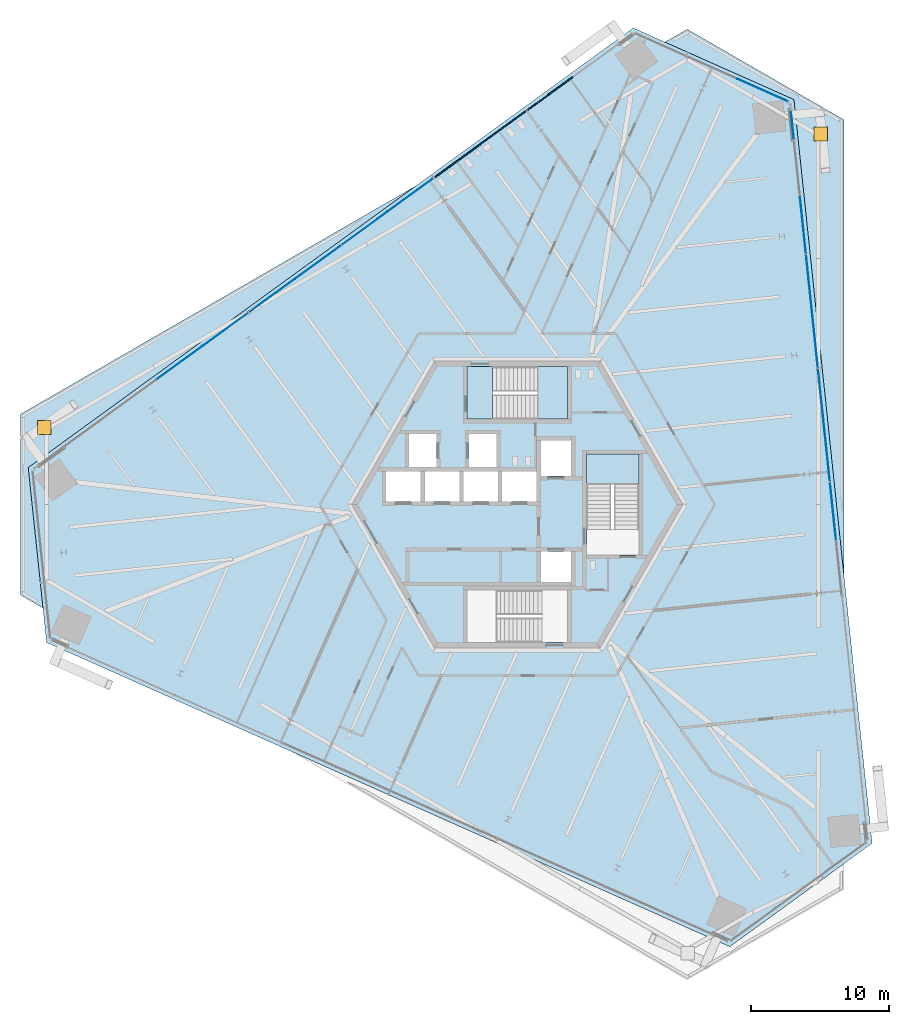
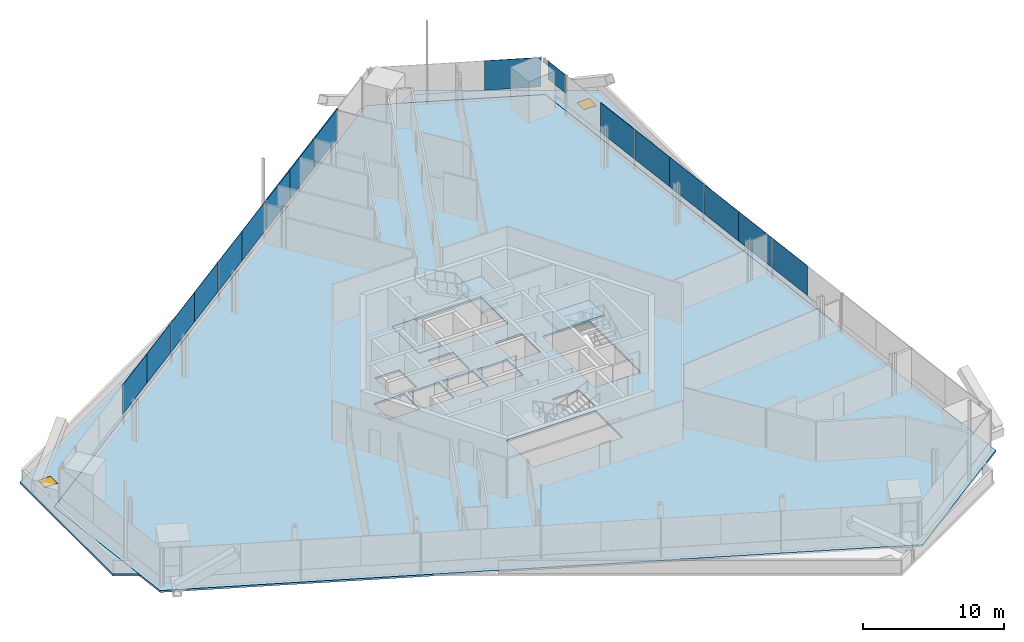
# One storey, part 13 of 24: 17 plates, 6 slabs, 2 doors, 2 openings, 7 elements without a shape of their own.
"""IFC4 building model written with IfcOpenShell, lengths in metres."""

import ifcopenshell
import ifcopenshell.guid

model = None  # the IFC model being written
_history = None  # IfcOwnerHistory: only IFC2X3 demands one
_inside = {}  # id of a spatial element -> (the spatial element, [elements in it])
_under = {}  # id of a project, library or spatial element -> (it, [spatial elements below it])
_declared = {}  # id of a project -> (the project, [libraries it declares])
_typed = {}  # id of a type object -> (the type object, [elements of that type])
_made_of = {}  # id of a material, layer set ... -> (it, [elements and type objects made of it])


def new_model(schema):
    """Start an empty IFC model of exactly this schema.

    Asked for "IFC4X3", IfcOpenShell would pick the latest addendum, in which some entities
    have other attributes; the version numbers below select the first issue.
    IFC2X3 requires an IfcOwnerHistory on every rooted entity: one is made here for all.
    """
    global model, _history
    if schema == "IFC4X3":
        model = ifcopenshell.file(schema_version=(4, 3, 0, 0))
    else:
        model = ifcopenshell.file(schema=schema)
    _inside.clear()
    _under.clear()
    _declared.clear()
    _typed.clear()
    _made_of.clear()
    _history = None
    if model.schema == "IFC2X3":
        org = make("IfcOrganization", Name="unknown")
        user = make(
            "IfcPersonAndOrganization",
            ThePerson=make("IfcPerson", FamilyName="unknown"),
            TheOrganization=org,
        )
        app = make(
            "IfcApplication",
            ApplicationDeveloper=org,
            Version="unknown",
            ApplicationFullName="unknown",
            ApplicationIdentifier="unknown",
        )
        _history = make(
            "IfcOwnerHistory",
            OwningUser=user,
            OwningApplication=app,
            ChangeAction="ADDED",
            CreationDate=0,
        )
    return model


def make(cls, **values):
    """One entity of the class cls with the attributes given. An attribute that is None is left unset."""
    return model.create_entity(
        cls, **{name: value for name, value in values.items() if value is not None}
    )


def rooted(cls, **values):
    """An entity with a GlobalId (a new one), such as an element, a storey or a relation."""
    return make(cls, GlobalId=ifcopenshell.guid.new(), OwnerHistory=_history, **values)


def si_unit(unit_type, name, prefix=None):
    """IfcSIUnit, for example si_unit("LENGTHUNIT", "METRE", prefix="MILLI")."""
    return make("IfcSIUnit", UnitType=unit_type, Prefix=prefix, Name=name)


def assignment(units):
    """IfcUnitAssignment: the units of a project."""
    return None if units is None else make("IfcUnitAssignment", Units=units)


def point(xyz):
    """IfcCartesianPoint."""
    return None if xyz is None else make("IfcCartesianPoint", Coordinates=xyz)


def direction(xyz):
    """IfcDirection."""
    return None if xyz is None else make("IfcDirection", DirectionRatios=xyz)


def frame(location, z_axis=None, x_axis=None):
    """IfcAxis2Placement3D, a coordinate frame: its origin and axes. An axis left out is left unset."""
    return make(
        "IfcAxis2Placement3D",
        Location=point(location),
        Axis=direction(z_axis),
        RefDirection=direction(x_axis),
    )


def frame_2d(location, x_axis=None):
    """IfcAxis2Placement2D, a coordinate frame in the plane: its origin and x axis."""
    return make(
        "IfcAxis2Placement2D", Location=point(location), RefDirection=direction(x_axis)
    )


def origin():
    """The frame at (0, 0, 0) with its axes left unset."""
    return frame((0.0, 0.0, 0.0))


def origin_2d():
    """The frame at (0, 0) in the plane with its x axis left unset."""
    return frame_2d((0.0, 0.0))


def place(relative_to, where):
    """IfcLocalPlacement: puts the frame where relative to a parent placement (None: the world)."""
    return make(
        "IfcLocalPlacement", PlacementRelTo=relative_to, RelativePlacement=where
    )


def context(
    kind, dimensions, precision=None, world=None, true_north=None, identifier=None
):
    """IfcGeometricRepresentationContext, for example the 3D "Model" context."""
    return make(
        "IfcGeometricRepresentationContext",
        ContextIdentifier=identifier,
        ContextType=kind,
        CoordinateSpaceDimension=dimensions,
        Precision=precision,
        WorldCoordinateSystem=world,
        TrueNorth=true_north,
    )


def subcontext(parent, identifier, kind, view, scale=None):
    """IfcGeometricRepresentationSubContext, for example "Body" below "Model"."""
    return make(
        "IfcGeometricRepresentationSubContext",
        ContextIdentifier=identifier,
        ContextType=kind,
        ParentContext=parent,
        TargetScale=scale,
        TargetView=view,
    )


def project(units=None, contexts=None):
    """IfcProject with its units and contexts."""
    return rooted(
        "IfcProject",
        Name="project",
        RepresentationContexts=contexts,
        UnitsInContext=assignment(units),
    )


def spatial(cls, under=None, at=None, **own):
    """A site, building, storey or space (cls), placed at a placement, below another one or the project."""
    s = rooted(cls, ObjectPlacement=at, **own)
    if under is not None:
        _under.setdefault(under.id(), (under, []))[1].append(s)
    return s


def polyline(points):
    """IfcPolyline through the points."""
    return make("IfcPolyline", Points=[point(p) for p in points])


def profile(cls, at=None, kind="AREA", **sizes):
    """A parametric profile (cls). Its sizes go by their IFC names, for example OverallWidth=200.0."""
    return make(cls, ProfileType=kind, Position=at, **sizes)


def rectangle(**sizes):
    """IfcRectangleProfileDef."""
    return profile("IfcRectangleProfileDef", **sizes)


def outline(outer, holes=None, kind="AREA"):
    """IfcArbitraryClosedProfileDef: a profile drawn as a closed curve; with holes, ...WithVoids."""
    if holes is None:
        return make("IfcArbitraryClosedProfileDef", ProfileType=kind, OuterCurve=outer)
    return make(
        "IfcArbitraryProfileDefWithVoids",
        ProfileType=kind,
        OuterCurve=outer,
        InnerCurves=holes,
    )


def extrude(swept, where, along, depth):
    """IfcExtrudedAreaSolid: the profile swept, set in the frame where, extruded along a direction by depth."""
    return make(
        "IfcExtrudedAreaSolid",
        SweptArea=swept,
        Position=where,
        ExtrudedDirection=direction(along),
        Depth=depth,
    )


def shape(context_of_items, identifier, shape_type, items):
    """IfcShapeRepresentation: the items that make up one representation, for example the "Body"."""
    return make(
        "IfcShapeRepresentation",
        ContextOfItems=context_of_items,
        RepresentationIdentifier=identifier,
        RepresentationType=shape_type,
        Items=items,
    )


def source(mapping_origin, context_of_items, identifier, shape_type, items):
    """IfcRepresentationMap: a shape defined once, which mapped items show again and again."""
    return make(
        "IfcRepresentationMap",
        MappingOrigin=mapping_origin,
        MappedRepresentation=shape(context_of_items, identifier, shape_type, items),
    )


def transform(
    local_origin,
    x_axis=None,
    y_axis=None,
    z_axis=None,
    scale=None,
    scale2=None,
    scale3=None,
    uniform=True,
):
    """IfcCartesianTransformationOperator3D, or its non-uniform kind. x_axis, y_axis, z_axis: its Axis1, 2, 3."""
    if uniform:
        return make(
            "IfcCartesianTransformationOperator3D",
            Axis1=direction(x_axis),
            Axis2=direction(y_axis),
            LocalOrigin=point(local_origin),
            Scale=scale,
            Axis3=direction(z_axis),
        )
    return make(
        "IfcCartesianTransformationOperator3DnonUniform",
        Axis1=direction(x_axis),
        Axis2=direction(y_axis),
        LocalOrigin=point(local_origin),
        Scale=scale,
        Axis3=direction(z_axis),
        Scale2=scale2,
        Scale3=scale3,
    )


def mapped(mapping_source, mapping_target):
    """IfcMappedItem: shows the shape of a source again, moved by a transform."""
    return make(
        "IfcMappedItem", MappingSource=mapping_source, MappingTarget=mapping_target
    )


def material(Name=None, Category=None):
    """IfcMaterial."""
    return make("IfcMaterial", Name=Name, Category=Category)


def layer(
    of_material, thickness, ventilated=None, Name=None, Category=None, Priority=None
):
    """IfcMaterialLayer: one layer of a wall or slab, of a material (None: an air gap)."""
    return make(
        "IfcMaterialLayer",
        Material=of_material,
        LayerThickness=thickness,
        IsVentilated=ventilated,
        Name=Name,
        Category=Category,
        Priority=Priority,
    )


def layer_set(layers, Name=None):
    """IfcMaterialLayerSet."""
    return make("IfcMaterialLayerSet", MaterialLayers=layers, LayerSetName=Name)


def made_of(thing, what):
    """Note that an element or type object is made of a material, layer set ...; save() writes the relation."""
    if what is not None:
        _made_of.setdefault(what.id(), (what, []))[1].append(thing)
    return thing


def type_object(cls, material=None, **own):
    """A type object (cls), such as IfcWallType, which elements share."""
    return made_of(rooted(cls, **own), material)


def element(
    cls,
    number,
    at=None,
    inside=None,
    cuts=None,
    type_object=None,
    material=None,
    context=None,
    identifier="Body",
    shape_type=None,
    held_by="IfcProductDefinitionShape",
    body=None,
    shapes=None,
    **own,
):
    """One element of the class cls, such as IfcWall. Its Tag is "e" and its number.

    at: its placement. inside: the storey or other place that contains it. cuts: it is an
    opening in that element (IfcRelVoidsElement). A single representation is given by context,
    identifier, shape_type and body (its items); several are given by shapes. held_by: the class
    of the entity that holds the representations. save() writes the other relations.
    """
    e = rooted(cls, Tag="e%d" % number, ObjectPlacement=at, **own)
    if body is not None:
        shapes = [shape(context, identifier, shape_type, body)]
    if shapes is not None:
        e.Representation = make(held_by, Representations=shapes)
    if inside is not None:
        _inside.setdefault(inside.id(), (inside, []))[1].append(e)
    if cuts is not None:
        rooted(
            "IfcRelVoidsElement", RelatingBuildingElement=cuts, RelatedOpeningElement=e
        )
    if type_object is not None:
        _typed.setdefault(type_object.id(), (type_object, []))[1].append(e)
    return made_of(e, material)


def fill(opening, filler):
    """IfcRelFillsElement: the door or window that sits in an opening."""
    return rooted(
        "IfcRelFillsElement",
        RelatingOpeningElement=opening,
        RelatedBuildingElement=filler,
    )


def aggregate(whole, parts):
    """IfcRelAggregates: a whole, such as a stair, and the parts it consists of."""
    return rooted("IfcRelAggregates", RelatingObject=whole, RelatedObjects=parts)


def save(model, path):
    """Write the relations noted so far, then the file.

    IfcRelAggregates (storeys below a building ...), IfcRelContainedInSpatialStructure (elements
    in a storey), IfcRelDefinesByType, IfcRelAssociatesMaterial and IfcRelDeclares: one each for
    every whole, place, type object, material and project.
    """
    for whole, parts in _under.values():
        aggregate(whole, parts)
    for where, things in _inside.values():
        rooted(
            "IfcRelContainedInSpatialStructure",
            RelatedElements=things,
            RelatingStructure=where,
        )
    for kind, things in _typed.values():
        rooted("IfcRelDefinesByType", RelatedObjects=things, RelatingType=kind)
    for what, things in _made_of.values():
        rooted("IfcRelAssociatesMaterial", RelatedObjects=things, RelatingMaterial=what)
    for by, libraries in _declared.values():
        rooted("IfcRelDeclares", RelatingContext=by, RelatedDefinitions=libraries)
    model.write(path)


model = new_model("IFC4")

# Units and contexts
model_context = context("Model", 3, precision=1e-05, world=origin(), true_north=direction((0.0, 1.0)))
body_context = subcontext(model_context, "Body", "Model", "MODEL_VIEW")
ifc_project = project(units=[si_unit("LENGTHUNIT", "METRE"), si_unit("AREAUNIT", "SQUARE_METRE"), si_unit("VOLUMEUNIT", "CUBIC_METRE"), si_unit("PLANEANGLEUNIT", "RADIAN"), si_unit("MASSUNIT", "GRAM", prefix="KILO")], contexts=[model_context])

# Site, building, storey
site_placement = place(None, origin())
site = spatial("IfcSite", under=ifc_project, at=site_placement, CompositionType="ELEMENT")
building_placement = place(site_placement, origin())
building = spatial("IfcBuilding", under=site, at=building_placement, Name="Triune Harvest Tower", CompositionType="ELEMENT")
storey_placement = place(building_placement, frame((0.0, 0.0, 58.5)))
storey = spatial("IfcBuildingStorey", under=building, at=storey_placement, Name="L13", CompositionType="ELEMENT", Elevation=58.5)

# Slab, opening, door
ifc_material_1 = material(Name="Concrete 40 MPa", Category="concrete")
ifc_layer_1 = layer(ifc_material_1, 0.159912109375)
ifc_layer_set_1 = layer_set([ifc_layer_1], Name="Concrete 40 MPa")
slab_type_1 = type_object("IfcSlabType", Name="WR-1 Wedge roof slab 160", PredefinedType="ROOF", material=ifc_layer_set_1)
slab_1_placement = place(storey_placement, frame((0.0, 0.0, -0.159912109375)))
slab_1 = element("IfcSlab", 1, at=slab_1_placement, inside=storey, type_object=slab_type_1, Name="Wedge roof slab L12 1", PredefinedType="ROOF", context=body_context, shape_type="SweptSolid", body=[
    extrude(outline(polyline([(12.30908203125, 34.43994140625), (10.6904296875, 33.50537109375), (20.040771484375, 29.34228515625), (23.67138671875, -5.200927734375), (23.67138671875, 27.8798828125), (12.30908203125, 34.43994140625)])), origin(), (0.0, 0.0, 1.0), 0.159912109375),
])
opening_1_placement = place(slab_1_placement, frame((21.980712890625, 26.853759765625, 0.0)))
opening_1 = element("IfcOpeningElement", 2, at=opening_1_placement, cuts=slab_1, Name="Opening RH-L12.2", PredefinedType="OPENING", context=body_context, shape_type="SweptSolid", body=[
    extrude(rectangle(XDim=1.0, YDim=1.0, at=origin_2d()), origin(), (0.0, 0.0, 1.0), 0.159912109375),
])
ifc_material_2 = material(Name="Aluminium bronze anodised", Category="aluminium")
door_type = type_object("IfcDoorType", Name="RH-1 roof hatch 1000 x 1000", OperationType="SINGLE_SWING_LEFT", PredefinedType="TRAPDOOR", material=ifc_material_2)
door_1_placement = place(opening_1_placement, frame((0.0, 0.0, 0.10986328125)))
door_1 = element("IfcDoor", 3, at=door_1_placement, inside=storey, type_object=door_type, Name="Roof hatch L12.2", OperationType="SINGLE_SWING_LEFT", OverallHeight=1.0, OverallWidth=1.0, PredefinedType="TRAPDOOR", context=body_context, shape_type="SweptSolid", body=[
    extrude(rectangle(XDim=1.0, YDim=1.0, at=origin_2d()), origin(), (0.0, 0.0, 1.0), 0.050048828125),
])
fill(opening_1, door_1)

slab_2_placement = place(storey_placement, frame((0.0, 0.0, -0.159912109375)))
slab_2 = element("IfcSlab", 4, at=slab_2_placement, inside=storey, type_object=slab_type_1, Name="Wedge roof slab L12 2", PredefinedType="ROOF", context=body_context, shape_type="SweptSolid", body=[
    extrude(outline(polyline([(-35.98046875, -6.56005859375), (-34.36181640625, -7.49462890625), (-35.431640625, 2.6845703125), (-7.331787109375, 23.100341796875), (-35.98046875, 6.56005859375), (-35.98046875, -6.56005859375)])), origin(), (0.0, 0.0, 1.0), 0.159912109375),
])
opening_2_placement = place(slab_2_placement, frame((-34.265869140625, 5.5908203125, 0.0)))
opening_2 = element("IfcOpeningElement", 5, at=opening_2_placement, cuts=slab_2, Name="Opening RH-L12.3", PredefinedType="OPENING", context=body_context, shape_type="SweptSolid", body=[
    extrude(rectangle(XDim=1.0, YDim=1.0, at=origin_2d()), origin(), (0.0, 0.0, 1.0), 0.159912109375),
])
door_2_placement = place(opening_2_placement, frame((0.0, 0.0, 0.10986328125)))
door_2 = element("IfcDoor", 6, at=door_2_placement, inside=storey, type_object=door_type, Name="Roof hatch L12.3", OperationType="SINGLE_SWING_LEFT", OverallHeight=1.0, OverallWidth=1.0, PredefinedType="TRAPDOOR", context=body_context, shape_type="SweptSolid", body=[
    extrude(rectangle(XDim=1.0, YDim=1.0, at=origin_2d()), origin(), (0.0, 0.0, 1.0), 0.050048828125),
])
fill(opening_2, door_2)

# Slab
ifc_material_3 = material(Name="Concrete 40 MPa", Category="concrete")
ifc_layer_2 = layer(ifc_material_3, 0.159912109375)
ifc_layer_set_2 = layer_set([ifc_layer_2], Name="Concrete 40 MPa")
slab_type_2 = type_object("IfcSlabType", Name="SL-1 Composite floor slab 160", PredefinedType="FLOOR", material=ifc_layer_set_2)
shared_shape_1 = source(origin(), body_context, "Body", "SweptSolid", [
    extrude(outline(polyline([(25.703125, -24.534423828125), (20.04052734375, 29.34228515625), (8.395751953125, 34.526611328125), (-35.431396484375, 2.6845703125), (-34.098876953125, -9.992431640625), (15.390869140625, -32.026611328125), (25.703125, -24.534423828125)]), holes=[polyline([(-7.0, 0.2099609375), (-7.0, 2.409912109375), (-9.5, 2.409912109375), (-9.5, 0.2099609375), (-7.0, 0.2099609375)]), polyline([(-4.199951171875, 0.2099609375), (-4.199951171875, 2.409912109375), (-6.699951171875, 2.409912109375), (-6.699951171875, 0.2099609375), (-4.199951171875, 0.2099609375)]), polyline([(-1.39990234375, 0.2099609375), (-1.39990234375, 2.409912109375), (-3.89990234375, 2.409912109375), (-3.89990234375, 0.2099609375), (-1.39990234375, 0.2099609375)]), polyline([(1.39990234375, 0.2099609375), (1.39990234375, 2.409912109375), (-1.10009765625, 2.409912109375), (-1.10009765625, 0.2099609375), (1.39990234375, 0.2099609375)]), polyline([(3.89990234375, 2.06005859375), (3.89990234375, 4.659912109375), (1.699951171875, 4.659912109375), (1.699951171875, 2.06005859375), (3.89990234375, 2.06005859375)]), polyline([(3.89990234375, -5.590087890625), (3.89990234375, -3.389892578125), (1.699951171875, -3.389892578125), (1.699951171875, -5.590087890625), (3.89990234375, -5.590087890625)]), polyline([(-5.85009765625, 2.7099609375), (-5.85009765625, 5.110107421875), (-7.85009765625, 5.110107421875), (-7.85009765625, 2.7099609375), (-5.85009765625, 2.7099609375)]), polyline([(-1.5, 2.7099609375), (-1.5, 5.110107421875), (-3.5, 5.110107421875), (-3.5, 2.7099609375), (-1.5, 2.7099609375)]), polyline([(3.64990234375, 6.18994140625), (3.64990234375, 9.989990234375), (-3.64990234375, 9.989990234375), (-3.64990234375, 6.18994140625), (3.64990234375, 6.18994140625)]), polyline([(3.64990234375, -9.989990234375), (3.64990234375, -6.18994140625), (-3.64990234375, -6.18994140625), (-3.64990234375, -9.989990234375), (3.64990234375, -9.989990234375)]), polyline([(8.800048828125, -3.64990234375), (8.800048828125, 3.64990234375), (5.0, 3.64990234375), (5.0, -3.64990234375), (8.800048828125, -3.64990234375)])]), origin(), (0.0, 0.0, 1.0), 0.159912109375),
])
slab_3_placement = place(storey_placement, frame((0.0, 0.0, -0.159912109375)))
element("IfcSlab", 7, at=slab_3_placement, inside=storey, type_object=slab_type_2, Name="slab/L13/1", PredefinedType="FLOOR", context=body_context, shape_type="MappedRepresentation", body=[
    mapped(shared_shape_1, transform((0.0, 0.0, 0.0), scale=1.0)),
])

# Stair, slabs
ifc_material_4 = material(Name="Concrete 40 MPa", Category="concrete")
stair_type = type_object("IfcStairType", Name="Exit stair 1800 half turn", PredefinedType="HALF_TURN_STAIR", material=ifc_material_4)
stair_1_placement = place(storey_placement, origin())
stair_1 = element("IfcStair", 8, at=stair_1_placement, inside=storey, type_object=stair_type, Name="Exit stair north", PredefinedType="HALF_TURN_STAIR")
ifc_material_5 = material(Name="Concrete 40 MPa", Category="concrete")
ifc_layer_3 = layer(ifc_material_5, 0.199951171875)
ifc_layer_set_3 = layer_set([ifc_layer_3], Name="Concrete 40 MPa")
slab_type_3 = type_object("IfcSlabType", Name="Stair landing 200", PredefinedType="LANDING", material=ifc_layer_set_3)
shared_shape_2 = source(origin(), body_context, "Body", "SweptSolid", [
    extrude(outline(polyline([(1.510009765625, 6.18994140625), (3.64990234375, 6.18994140625), (3.64990234375, 9.989990234375), (1.510009765625, 9.989990234375), (1.510009765625, 6.18994140625)])), origin(), (0.0, 0.0, 1.0), 0.199951171875),
])
slab_4_placement = place(storey_placement, frame((0.0, 0.0, 1.60009765625)))
slab_4 = element("IfcSlab", 9, at=slab_4_placement, type_object=slab_type_3, Name="ST-1 landing 2", PredefinedType="LANDING", context=body_context, shape_type="MappedRepresentation", body=[
    mapped(shared_shape_2, transform((0.0, 0.0, 0.0), scale=1.0)),
])
shared_shape_3 = source(origin(), body_context, "Body", "SweptSolid", [
    extrude(outline(polyline([(-3.64990234375, 6.18994140625), (-1.780029296875, 6.18994140625), (-1.780029296875, 9.989990234375), (-3.64990234375, 9.989990234375), (-3.64990234375, 6.18994140625)])), origin(), (0.0, 0.0, 1.0), 0.199951171875),
])
slab_5_placement = place(storey_placement, frame((0.0, 0.0, -0.199951171875)))
slab_5 = element("IfcSlab", 10, at=slab_5_placement, type_object=slab_type_3, Name="ST-1 landing 1", PredefinedType="LANDING", context=body_context, shape_type="MappedRepresentation", body=[
    mapped(shared_shape_3, transform((0.0, 0.0, 0.0), scale=1.0)),
])
aggregate(stair_1, [slab_5, slab_4])

# Stair, slab
stair_2_placement = place(storey_placement, origin())
stair_2 = element("IfcStair", 11, at=stair_2_placement, inside=storey, type_object=stair_type, Name="Exit stair east", PredefinedType="HALF_TURN_STAIR")
shared_shape_4 = source(origin(), body_context, "Body", "SweptSolid", [
    extrude(outline(polyline([(8.800048828125, 1.510009765625), (8.800048828125, 3.64990234375), (5.0, 3.64990234375), (5.0, 1.510009765625), (8.800048828125, 1.510009765625)])), origin(), (0.0, 0.0, 1.0), 0.199951171875),
])
slab_6_placement = place(storey_placement, frame((0.0, 0.0, 1.60009765625)))
slab_6 = element("IfcSlab", 12, at=slab_6_placement, type_object=slab_type_3, Name="ST-3 landing 2", PredefinedType="LANDING", context=body_context, shape_type="MappedRepresentation", body=[
    mapped(shared_shape_4, transform((0.0, 0.0, 0.0), scale=1.0)),
])
aggregate(stair_2, [slab_6])

# Curtain wall, plates
ifc_material_6 = material(Name="Aluminium bronze anodised", Category="aluminium")
curtain_wall_type_1 = type_object("IfcCurtainWallType", Name="CW-7 Tower stick curtain wall with insulated spandrel infill", PredefinedType="NOTDEFINED", material=ifc_material_6)
curtain_wall_1_placement = place(storey_placement, origin())
curtain_wall_1 = element("IfcCurtainWall", 13, at=curtain_wall_1_placement, inside=storey, type_object=curtain_wall_type_1, Name="CW-7 B2-F3 L13 run 101")
ifc_material_7 = material(Name="Insulated spandrel panel, bronze aluminium pan", Category="aluminium")
ifc_layer_4 = layer(ifc_material_7, 0.080078125)
ifc_layer_set_4 = layer_set([ifc_layer_4], Name="Insulated spandrel panel, bronze aluminium pan")
plate_type_1 = type_object("IfcPlateType", Name="SP-1 insulated spandrel panel 80", PredefinedType="CURTAIN_PANEL", material=ifc_layer_set_4)
shared_shape_5 = source(origin(), body_context, "Body", "SweptSolid", [
    extrude(rectangle(XDim=4.070068359375, YDim=0.080078125, at=origin_2d()), origin(), (0.0, 0.0, 1.0), 2.5400390625),
])
plate_1_placement = place(storey_placement, frame((-4.3359375, 24.90576171875, 0.89990234375), z_axis=(0.0, 0.0, 1.0), x_axis=(-0.809018452885, -0.587783244821, 0.0)))
plate_1 = element("IfcPlate", 14, at=plate_1_placement, type_object=plate_type_1, Name="CW-7 panel B2-F3 101.4", PredefinedType="CURTAIN_PANEL", context=body_context, shape_type="MappedRepresentation", body=[
    mapped(shared_shape_5, transform((0.0, 0.0, 0.0), scale=1.0)),
])
shared_shape_6 = source(origin(), body_context, "Body", "SweptSolid", [
    extrude(rectangle(XDim=4.107421875, YDim=0.080078125, at=origin_2d()), origin(), (0.0, 0.0, 1.0), 2.5400390625),
])
plate_2_placement = place(storey_placement, frame((2.355712890625, 29.767578125, 0.89990234375), z_axis=(0.0, 0.0, 1.0), x_axis=(-0.809018452885, -0.587783244821, 0.0)))
plate_2 = element("IfcPlate", 15, at=plate_2_placement, type_object=plate_type_1, Name="CW-7 panel B2-F3 101.2", PredefinedType="CURTAIN_PANEL", context=body_context, shape_type="MappedRepresentation", body=[
    mapped(shared_shape_6, transform((0.0, 0.0, 0.0), scale=1.0)),
])
plate_3_placement = place(storey_placement, frame((-1.028076171875, 27.30908203125, 0.89990234375), z_axis=(0.0, 0.0, 1.0), x_axis=(-0.809018452885, -0.587783244821, 0.0)))
plate_3 = element("IfcPlate", 16, at=plate_3_placement, type_object=plate_type_1, Name="CW-7 panel B2-F3 101.3", PredefinedType="CURTAIN_PANEL", context=body_context, shape_type="MappedRepresentation", body=[
    mapped(shared_shape_6, transform((0.0, 0.0, 0.0), scale=1.0)),
])
aggregate(curtain_wall_1, [plate_2, plate_3, plate_1])

# Curtain wall, plate
ifc_material_8 = material(Name="Aluminium bronze anodised", Category="aluminium")
curtain_wall_type_2 = type_object("IfcCurtainWallType", Name="CW-1 Tower stick curtain wall", PredefinedType="NOTDEFINED", material=ifc_material_8)
curtain_wall_2_placement = place(storey_placement, origin())
curtain_wall_2 = element("IfcCurtainWall", 17, at=curtain_wall_2_placement, inside=storey, type_object=curtain_wall_type_2, Name="CW-1 B2-F3 L13 run 1101")
ifc_material_9 = material(Name="Glass", Category="glass")
ifc_layer_5 = layer(ifc_material_9, 0.031982421875)
ifc_layer_set_5 = layer_set([ifc_layer_5], Name="Glass")
plate_type_2 = type_object("IfcPlateType", Name="GL-1 panel 32", PredefinedType="CURTAIN_PANEL", material=ifc_layer_set_5)
shared_shape_7 = source(origin(), body_context, "Body", "SweptSolid", [
    extrude(rectangle(XDim=4.070068359375, YDim=0.031982421875, at=origin_2d()), origin(), (0.0, 0.0, 1.0), 2.5400390625),
])
plate_4_placement = place(storey_placement, frame((-7.75, 22.42529296875, 0.89990234375), z_axis=(0.0, 0.0, 1.0), x_axis=(-0.809017018863, -0.587785218588, 0.0)))
plate_4 = element("IfcPlate", 18, at=plate_4_placement, type_object=plate_type_2, Name="CW-1 panel B2-F3 1101.1", PredefinedType="CURTAIN_PANEL", context=body_context, shape_type="MappedRepresentation", body=[
    mapped(shared_shape_7, transform((0.0, 0.0, 0.0), scale=1.0)),
])

# Curtain wall, plates
curtain_wall_3_placement = place(storey_placement, origin())
curtain_wall_3 = element("IfcCurtainWall", 19, at=curtain_wall_3_placement, inside=storey, type_object=curtain_wall_type_2, Name="CW-1 B2-F1 L13 run 1101")
shared_shape_8 = source(origin(), body_context, "Body", "SweptSolid", [
    extrude(rectangle(XDim=4.107666015625, YDim=0.031982421875, at=origin_2d()), origin(), (0.0, 0.0, 1.0), 2.5400390625),
])
plate_5_placement = place(storey_placement, frame((22.868408203125, -0.434814453125, 0.89990234375), z_axis=(0.0, 0.0, 1.0), x_axis=(-0.104528432145, 0.994521898639, 0.0)))
plate_5 = element("IfcPlate", 20, at=plate_5_placement, type_object=plate_type_2, Name="CW-1 panel B2-F1 1101.2", PredefinedType="CURTAIN_PANEL", context=body_context, shape_type="MappedRepresentation", body=[
    mapped(shared_shape_8, transform((0.0, 0.0, 0.0), scale=1.0)),
])
plate_6_placement = place(storey_placement, frame((22.43115234375, 3.724853515625, 0.89990234375), z_axis=(0.0, 0.0, 1.0), x_axis=(-0.104528432145, 0.994521898639, 0.0)))
plate_6 = element("IfcPlate", 21, at=plate_6_placement, type_object=plate_type_2, Name="CW-1 panel B2-F1 1101.3", PredefinedType="CURTAIN_PANEL", context=body_context, shape_type="MappedRepresentation", body=[
    mapped(shared_shape_8, transform((0.0, 0.0, 0.0), scale=1.0)),
])
plate_7_placement = place(storey_placement, frame((22.001953125, 7.809814453125, 0.89990234375), z_axis=(0.0, 0.0, 1.0), x_axis=(-0.104528432145, 0.994521898639, 0.0)))
plate_7 = element("IfcPlate", 22, at=plate_7_placement, type_object=plate_type_2, Name="CW-1 panel B2-F1 1101.4", PredefinedType="CURTAIN_PANEL", context=body_context, shape_type="MappedRepresentation", body=[
    mapped(shared_shape_8, transform((0.0, 0.0, 0.0), scale=1.0)),
])
plate_8_placement = place(storey_placement, frame((21.564697265625, 11.969482421875, 0.89990234375), z_axis=(0.0, 0.0, 1.0), x_axis=(-0.104528432145, 0.994521898639, 0.0)))
plate_8 = element("IfcPlate", 23, at=plate_8_placement, type_object=plate_type_2, Name="CW-1 panel B2-F1 1101.5", PredefinedType="CURTAIN_PANEL", context=body_context, shape_type="MappedRepresentation", body=[
    mapped(shared_shape_8, transform((0.0, 0.0, 0.0), scale=1.0)),
])
plate_9_placement = place(storey_placement, frame((21.13525390625, 16.0546875, 0.89990234375), z_axis=(0.0, 0.0, 1.0), x_axis=(-0.104528432145, 0.994521898639, 0.0)))
plate_9 = element("IfcPlate", 24, at=plate_9_placement, type_object=plate_type_2, Name="CW-1 panel B2-F1 1101.6", PredefinedType="CURTAIN_PANEL", context=body_context, shape_type="MappedRepresentation", body=[
    mapped(shared_shape_8, transform((0.0, 0.0, 0.0), scale=1.0)),
])
plate_10_placement = place(storey_placement, frame((20.6982421875, 20.21435546875, 0.89990234375), z_axis=(0.0, 0.0, 1.0), x_axis=(-0.104528432145, 0.994521898639, 0.0)))
plate_10 = element("IfcPlate", 25, at=plate_10_placement, type_object=plate_type_2, Name="CW-1 panel B2-F1 1101.7", PredefinedType="CURTAIN_PANEL", context=body_context, shape_type="MappedRepresentation", body=[
    mapped(shared_shape_8, transform((0.0, 0.0, 0.0), scale=1.0)),
])
aggregate(curtain_wall_3, [plate_5, plate_6, plate_7, plate_8, plate_9, plate_10])

# Curtain wall, plate
curtain_wall_4_placement = place(storey_placement, origin())
curtain_wall_4 = element("IfcCurtainWall", 26, at=curtain_wall_4_placement, inside=storey, type_object=curtain_wall_type_2, Name="CW-1 B2-F1 L13 run 201")
shared_shape_9 = source(origin(), body_context, "Body", "SweptSolid", [
    extrude(rectangle(XDim=2.0830078125, YDim=0.031982421875, at=origin_2d()), origin(), (0.0, 0.0, 1.0), 1.554931640625),
])
plate_11_placement = place(storey_placement, frame((19.93359375, 27.489501953125, 1.88525390625), z_axis=(0.0, 0.0, 1.0), x_axis=(-0.104526259484, 0.994522126993, 0.0)))
plate_11 = element("IfcPlate", 27, at=plate_11_placement, type_object=plate_type_2, Name="CW-1 panel B2-F1 201.1", PredefinedType="CURTAIN_PANEL", context=body_context, shape_type="MappedRepresentation", body=[
    mapped(shared_shape_9, transform((0.0, 0.0, 0.0), scale=1.0)),
])
aggregate(curtain_wall_4, [plate_11])

curtain_wall_5_placement = place(storey_placement, origin())
curtain_wall_5 = element("IfcCurtainWall", 28, at=curtain_wall_5_placement, inside=storey, type_object=curtain_wall_type_2, Name="CW-1 B2-F2 L13 run 1")
shared_shape_10 = source(origin(), body_context, "Body", "SweptSolid", [
    extrude(rectangle(XDim=3.99853515625, YDim=0.031982421875, at=origin_2d()), origin(), (0.0, 0.0, 1.0), 2.5400390625),
])
plate_12_placement = place(storey_placement, frame((17.783203125, 30.018798828125, 0.89990234375), z_axis=(0.0, 0.0, 1.0), x_axis=(-0.913546644034, 0.406733978386, 0.0)))
plate_12 = element("IfcPlate", 29, at=plate_12_placement, type_object=plate_type_2, Name="CW-1 panel B2-F2 1.1", PredefinedType="CURTAIN_PANEL", context=body_context, shape_type="MappedRepresentation", body=[
    mapped(shared_shape_10, transform((0.0, 0.0, 0.0), scale=1.0)),
])
aggregate(curtain_wall_5, [plate_12])

# Plate
shared_shape_11 = source(origin(), body_context, "Body", "SweptSolid", [
    extrude(rectangle(XDim=4.107421875, YDim=0.031982421875, at=origin_2d()), origin(), (0.0, 0.0, 1.0), 2.5400390625),
])
plate_13_placement = place(storey_placement, frame((-11.057861328125, 20.02197265625, 0.89990234375), z_axis=(0.0, 0.0, 1.0), x_axis=(-0.809017018863, -0.587785218588, 0.0)))
plate_13 = element("IfcPlate", 30, at=plate_13_placement, type_object=plate_type_2, Name="CW-1 panel B2-F3 1101.2", PredefinedType="CURTAIN_PANEL", context=body_context, shape_type="MappedRepresentation", body=[
    mapped(shared_shape_11, transform((0.0, 0.0, 0.0), scale=1.0)),
])

plate_14_placement = place(storey_placement, frame((-14.441650390625, 17.563720703125, 0.89990234375), z_axis=(0.0, 0.0, 1.0), x_axis=(-0.809017018863, -0.587785218588, 0.0)))
plate_14 = element("IfcPlate", 31, at=plate_14_placement, type_object=plate_type_2, Name="CW-1 panel B2-F3 1101.3", PredefinedType="CURTAIN_PANEL", context=body_context, shape_type="MappedRepresentation", body=[
    mapped(shared_shape_11, transform((0.0, 0.0, 0.0), scale=1.0)),
])

plate_15_placement = place(storey_placement, frame((-17.7646484375, 15.149169921875, 0.89990234375), z_axis=(0.0, 0.0, 1.0), x_axis=(-0.809017018863, -0.587785218588, 0.0)))
plate_15 = element("IfcPlate", 32, at=plate_15_placement, type_object=plate_type_2, Name="CW-1 panel B2-F3 1101.4", PredefinedType="CURTAIN_PANEL", context=body_context, shape_type="MappedRepresentation", body=[
    mapped(shared_shape_11, transform((0.0, 0.0, 0.0), scale=1.0)),
])

plate_16_placement = place(storey_placement, frame((-21.1484375, 12.69091796875, 0.89990234375), z_axis=(0.0, 0.0, 1.0), x_axis=(-0.809017018863, -0.587785218588, 0.0)))
plate_16 = element("IfcPlate", 33, at=plate_16_placement, type_object=plate_type_2, Name="CW-1 panel B2-F3 1101.5", PredefinedType="CURTAIN_PANEL", context=body_context, shape_type="MappedRepresentation", body=[
    mapped(shared_shape_11, transform((0.0, 0.0, 0.0), scale=1.0)),
])

plate_17_placement = place(storey_placement, frame((-24.471435546875, 10.276611328125, 0.89990234375), z_axis=(0.0, 0.0, 1.0), x_axis=(-0.809017018863, -0.587785218588, 0.0)))
plate_17 = element("IfcPlate", 34, at=plate_17_placement, type_object=plate_type_2, Name="CW-1 panel B2-F3 1101.6", PredefinedType="CURTAIN_PANEL", context=body_context, shape_type="MappedRepresentation", body=[
    mapped(shared_shape_11, transform((0.0, 0.0, 0.0), scale=1.0)),
])

aggregate(curtain_wall_2, [plate_4, plate_13, plate_14, plate_15, plate_16, plate_17])

save(model, "model.ifc")
